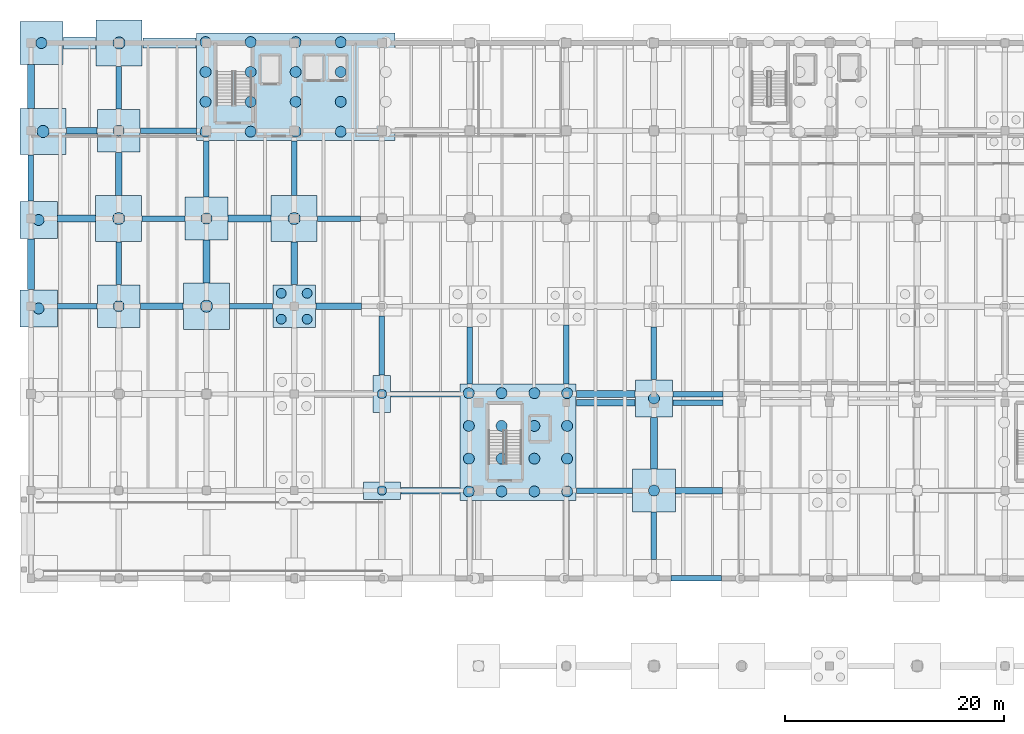
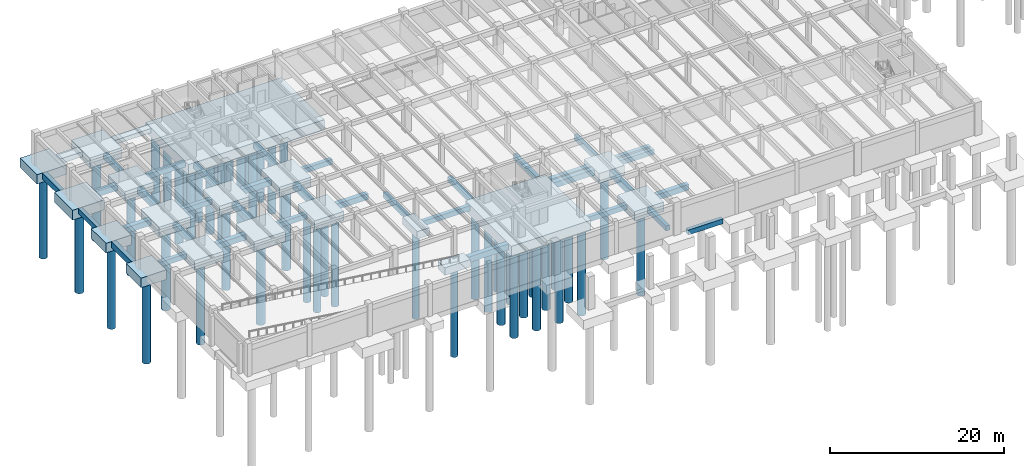
# One storey, part 2 of 25: 55 footings, 51 piles.
"""IFC4 building model written with IfcOpenShell, lengths in metres."""

from ifc_helpers import new_model, si_unit, direction, frame, origin, origin_2d, place, context, subcontext, project, spatial, rectangle, circle, extrude, material, layer, layer_set, material_profile, profile_set, type_object, element, save


model = new_model("IFC4")

# Units and contexts
model_context = context("Model", 3, precision=1e-05, world=origin(), true_north=direction((0.0, 1.0)))
body_context = subcontext(model_context, "Body", "Model", "MODEL_VIEW")
ifc_project = project(units=[si_unit("LENGTHUNIT", "METRE"), si_unit("AREAUNIT", "SQUARE_METRE"), si_unit("VOLUMEUNIT", "CUBIC_METRE"), si_unit("PLANEANGLEUNIT", "RADIAN"), si_unit("MASSUNIT", "GRAM", prefix="KILO")], contexts=[model_context])

# Site, building, storey
site_placement = place(None, origin())
site = spatial("IfcSite", under=ifc_project, at=site_placement, CompositionType="ELEMENT")
building_placement = place(site_placement, origin())
building = spatial("IfcBuilding", under=site, at=building_placement, Name="Tlaxcora Railside Police Headquarters", CompositionType="ELEMENT")
storey_placement = place(building_placement, frame((0.0, 0.0, -4.199951171875)))
storey = spatial("IfcBuildingStorey", under=building, at=storey_placement, Name="B1", CompositionType="ELEMENT", Elevation=-4.199951171875)

# Piles
ifc_material_1 = material(Name="Concrete C35/45", Category="concrete")
ifc_material_profile_1 = material_profile(ifc_material_1, circle(Radius=0.425048828125, at=origin_2d()), Name="PILE850")
ifc_profile_set_1 = profile_set([ifc_material_profile_1], Name="Concrete C35/45")
pile_type_1 = type_object("IfcPileType", Name="Cast-in-Place Bored Pile PL-12", PredefinedType="BORED", material=ifc_profile_set_1)
for number, where, z_axis, x_axis, name in (
    (1, (37.199951171875, 52.0, -1.340087890625), (0.0, 0.0, -1.0), (1.0, 0.0, 0.0), "Bored pile PILE-032-1"),
    (2, (37.199951171875, 60.800048828125, -1.340087890625), (0.0, 0.0, -1.0), (1.0, 0.0, 0.0), "Bored pile PILE-033-1"),
):
    element("IfcPile", number, at=place(storey_placement, frame(where, z_axis=z_axis, x_axis=x_axis)), inside=storey, type_object=pile_type_1, Name=name, PredefinedType="BORED", context=body_context, shape_type="SweptSolid", body=[
        extrude(circle(Radius=0.425048828125, at=origin_2d()), origin(), (0.0, 0.0, 1.0), 12.4599609375),
    ])
ifc_material_profile_2 = material_profile(ifc_material_1, circle(Radius=0.449951171875, at=origin_2d()), Name="PILE900")
ifc_profile_set_2 = profile_set([ifc_material_profile_2], Name="Concrete C35/45")
pile_type_2 = type_object("IfcPileType", Name="Cast-in-Place Bored Pile PL-52", PredefinedType="BORED", material=ifc_profile_set_2)
for number, where, z_axis, x_axis, name in (
    (3, (28.02001953125, 67.6201171875, -1.590087890625), (0.0, 0.0, -1.0), (1.0, 0.0, 0.0), "Bored pile PILE-029-1"),
    (4, (28.02001953125, 69.97998046875, -1.590087890625), (0.0, 0.0, -1.0), (1.0, 0.0, 0.0), "Bored pile PILE-029-2"),
    (5, (30.3798828125, 67.6201171875, -1.590087890625), (0.0, 0.0, -1.0), (1.0, 0.0, 0.0), "Bored pile PILE-029-3"),
    (6, (30.3798828125, 69.97998046875, -1.590087890625), (0.0, 0.0, -1.0), (1.0, 0.0, 0.0), "Bored pile PILE-029-4"),
):
    element("IfcPile", number, at=place(storey_placement, frame(where, z_axis=z_axis, x_axis=x_axis)), inside=storey, type_object=pile_type_2, Name=name, PredefinedType="BORED", context=body_context, shape_type="SweptSolid", body=[
        extrude(circle(Radius=0.449951171875, at=origin_2d()), origin(), (0.0, 0.0, 1.0), 12.2099609375),
    ])
ifc_material_profile_3 = material_profile(ifc_material_1, circle(Radius=0.5, at=origin_2d()), Name="PILE1000")
ifc_profile_set_3 = profile_set([ifc_material_profile_3], Name="Concrete C35/45")
pile_type_3 = type_object("IfcPileType", Name="Cast-in-Place Bored Pile PL-74", PredefinedType="BORED", material=ifc_profile_set_3)
for number, where, z_axis, x_axis, name in (
    (7, (21.118408203125, 84.719970703125, -1.739990234375), (0.0, 0.0, -1.0), (1.0, 0.0, 0.0), "Bored pile PILE-001-1"),
    (8, (21.118408203125, 87.43994140625, -1.739990234375), (0.0, 0.0, -1.0), (1.0, 0.0, 0.0), "Bored pile PILE-001-2"),
    (9, (21.118408203125, 90.159912109375, -1.739990234375), (0.0, 0.0, -1.0), (1.0, 0.0, 0.0), "Bored pile PILE-001-3"),
    (10, (21.118408203125, 92.8798828125, -1.739990234375), (0.0, 0.0, -1.0), (1.0, 0.0, 0.0), "Bored pile PILE-001-4"),
    (11, (25.22607421875, 84.719970703125, -1.739990234375), (0.0, 0.0, -1.0), (1.0, 0.0, 0.0), "Bored pile PILE-001-5"),
    (12, (25.22607421875, 87.43994140625, -1.739990234375), (0.0, 0.0, -1.0), (1.0, 0.0, 0.0), "Bored pile PILE-001-6"),
    (13, (25.22607421875, 90.159912109375, -1.739990234375), (0.0, 0.0, -1.0), (1.0, 0.0, 0.0), "Bored pile PILE-001-7"),
    (14, (25.22607421875, 92.8798828125, -1.739990234375), (0.0, 0.0, -1.0), (1.0, 0.0, 0.0), "Bored pile PILE-001-8"),
    (15, (29.33349609375, 84.719970703125, -1.739990234375), (0.0, 0.0, -1.0), (1.0, 0.0, 0.0), "Bored pile PILE-001-9"),
    (16, (29.33349609375, 87.43994140625, -1.739990234375), (0.0, 0.0, -1.0), (1.0, 0.0, 0.0), "Bored pile PILE-001-10"),
    (17, (29.33349609375, 90.159912109375, -1.739990234375), (0.0, 0.0, -1.0), (1.0, 0.0, 0.0), "Bored pile PILE-001-11"),
    (18, (29.33349609375, 92.8798828125, -1.739990234375), (0.0, 0.0, -1.0), (1.0, 0.0, 0.0), "Bored pile PILE-001-12"),
    (19, (33.44091796875, 84.719970703125, -1.739990234375), (0.0, 0.0, -1.0), (1.0, 0.0, 0.0), "Bored pile PILE-001-13"),
    (20, (33.44091796875, 87.43994140625, -1.739990234375), (0.0, 0.0, -1.0), (1.0, 0.0, 0.0), "Bored pile PILE-001-14"),
    (21, (33.44091796875, 90.159912109375, -1.739990234375), (0.0, 0.0, -1.0), (1.0, 0.0, 0.0), "Bored pile PILE-001-15"),
    (22, (33.44091796875, 92.8798828125, -1.739990234375), (0.0, 0.0, -1.0), (1.0, 0.0, 0.0), "Bored pile PILE-001-16"),
    (23, (45.1201171875, 51.919921875, -1.739990234375), (0.0, 0.0, -1.0), (1.0, 0.0, 0.0), "Bored pile PILE-005-1"),
    (24, (45.1201171875, 54.90673828125, -1.739990234375), (0.0, 0.0, -1.0), (1.0, 0.0, 0.0), "Bored pile PILE-005-2"),
    (25, (45.1201171875, 57.893310546875, -1.739990234375), (0.0, 0.0, -1.0), (1.0, 0.0, 0.0), "Bored pile PILE-005-3"),
    (26, (45.1201171875, 60.8798828125, -1.739990234375), (0.0, 0.0, -1.0), (1.0, 0.0, 0.0), "Bored pile PILE-005-4"),
    (27, (48.106689453125, 51.919921875, -1.739990234375), (0.0, 0.0, -1.0), (1.0, 0.0, 0.0), "Bored pile PILE-005-5"),
    (28, (48.106689453125, 54.90673828125, -1.739990234375), (0.0, 0.0, -1.0), (1.0, 0.0, 0.0), "Bored pile PILE-005-6"),
    (29, (48.106689453125, 57.893310546875, -1.739990234375), (0.0, 0.0, -1.0), (1.0, 0.0, 0.0), "Bored pile PILE-005-7"),
    (30, (48.106689453125, 60.8798828125, -1.739990234375), (0.0, 0.0, -1.0), (1.0, 0.0, 0.0), "Bored pile PILE-005-8"),
    (31, (51.09326171875, 51.919921875, -1.739990234375), (0.0, 0.0, -1.0), (1.0, 0.0, 0.0), "Bored pile PILE-005-9"),
    (32, (51.09326171875, 54.90673828125, -1.739990234375), (0.0, 0.0, -1.0), (1.0, 0.0, 0.0), "Bored pile PILE-005-10"),
    (33, (51.09326171875, 57.893310546875, -1.739990234375), (0.0, 0.0, -1.0), (1.0, 0.0, 0.0), "Bored pile PILE-005-11"),
    (34, (51.09326171875, 60.8798828125, -1.739990234375), (0.0, 0.0, -1.0), (1.0, 0.0, 0.0), "Bored pile PILE-005-12"),
    (35, (54.080078125, 51.919921875, -1.739990234375), (0.0, 0.0, -1.0), (1.0, 0.0, 0.0), "Bored pile PILE-005-13"),
    (36, (54.080078125, 54.90673828125, -1.739990234375), (0.0, 0.0, -1.0), (1.0, 0.0, 0.0), "Bored pile PILE-005-14"),
    (37, (54.080078125, 57.893310546875, -1.739990234375), (0.0, 0.0, -1.0), (1.0, 0.0, 0.0), "Bored pile PILE-005-15"),
    (38, (54.080078125, 60.8798828125, -1.739990234375), (0.0, 0.0, -1.0), (1.0, 0.0, 0.0), "Bored pile PILE-005-16"),
):
    element("IfcPile", number, at=place(storey_placement, frame(where, z_axis=z_axis, x_axis=x_axis)), inside=storey, type_object=pile_type_3, Name=name, PredefinedType="BORED", context=body_context, shape_type="SweptSolid", body=[
        extrude(circle(Radius=0.5, at=origin_2d()), origin(), (0.0, 0.0, 1.0), 12.06005859375),
    ])
for number, where, z_axis, x_axis, name in (
    (39, (5.89990234375, 68.60009765625, -1.64013671875), (0.0, 0.0, -1.0), (1.0, 0.0, 0.0), "Bored pile PILE-010-1"),
    (40, (5.89990234375, 76.66650390625, -1.64013671875), (0.0, 0.0, -1.0), (1.0, 0.0, 0.0), "Bored pile PILE-011-1"),
):
    element("IfcPile", number, at=place(storey_placement, frame(where, z_axis=z_axis, x_axis=x_axis)), inside=storey, type_object=pile_type_3, Name=name, PredefinedType="BORED", context=body_context, shape_type="SweptSolid", body=[
        extrude(circle(Radius=0.5, at=origin_2d()), origin(), (0.0, 0.0, 1.0), 12.159912109375),
    ])
for number, where, z_axis, x_axis, name in (
    (41, (6.14990234375, 92.800048828125, -1.590087890625), (0.0, 0.0, -1.0), (1.0, 0.0, 0.0), "Bored pile PILE-013-1"),
    (42, (13.199951171875, 68.800048828125, -1.590087890625), (0.0, 0.0, -1.0), (1.0, 0.0, 0.0), "Bored pile PILE-017-1"),
    (43, (13.199951171875, 84.800048828125, -1.590087890625), (0.0, 0.0, -1.0), (1.0, 0.0, 0.0), "Bored pile PILE-019-1"),
    (44, (21.199951171875, 76.800048828125, -1.590087890625), (0.0, 0.0, -1.0), (1.0, 0.0, 0.0), "Bored pile PILE-025-1"),
    (45, (62.0, 52.0, -1.590087890625), (0.0, 0.0, -1.0), (1.0, 0.0, 0.0), "Bored pile PILE-051-1"),
):
    element("IfcPile", number, at=place(storey_placement, frame(where, z_axis=z_axis, x_axis=x_axis)), inside=storey, type_object=pile_type_3, Name=name, PredefinedType="BORED", context=body_context, shape_type="SweptSolid", body=[
        extrude(circle(Radius=0.5, at=origin_2d()), origin(), (0.0, 0.0, 1.0), 12.2099609375),
    ])
pile_placement = place(storey_placement, frame((62.0, 60.39990234375, -1.64013671875), z_axis=(0.0, 0.0, -1.0), x_axis=(1.0, 0.0, 0.0)))
element("IfcPile", 46, at=pile_placement, inside=storey, type_object=pile_type_3, Name="Bored pile PILE-052-1", PredefinedType="BORED", context=body_context, shape_type="SweptSolid", body=[
    extrude(circle(Radius=0.5, at=origin_2d()), origin(), (0.0, 0.0, 1.0), 12.159912109375),
])
ifc_material_profile_4 = material_profile(ifc_material_1, circle(Radius=0.550048828125, at=origin_2d()), Name="PILE1100")
ifc_profile_set_4 = profile_set([ifc_material_profile_4], Name="Concrete C35/45")
pile_type_4 = type_object("IfcPileType", Name="Cast-in-Place Bored Pile PL-78", PredefinedType="BORED", material=ifc_profile_set_4)
for number, where, z_axis, x_axis, name in (
    (47, (6.300048828125, 84.7333984375, -1.68994140625), (0.0, 0.0, -1.0), (1.0, 0.0, 0.0), "Bored pile PILE-012-1"),
    (48, (13.199951171875, 76.800048828125, -1.68994140625), (0.0, 0.0, -1.0), (1.0, 0.0, 0.0), "Bored pile PILE-018-1"),
    (49, (13.2333984375, 92.800048828125, -1.68994140625), (0.0, 0.0, -1.0), (1.0, 0.0, 0.0), "Bored pile PILE-020-1"),
    (50, (21.199951171875, 68.800048828125, -1.68994140625), (0.0, 0.0, -1.0), (1.0, 0.0, 0.0), "Bored pile PILE-024-1"),
    (51, (29.199951171875, 76.800048828125, -1.68994140625), (0.0, 0.0, -1.0), (1.0, 0.0, 0.0), "Bored pile PILE-030-1"),
):
    element("IfcPile", number, at=place(storey_placement, frame(where, z_axis=z_axis, x_axis=x_axis)), inside=storey, type_object=pile_type_4, Name=name, PredefinedType="BORED", context=body_context, shape_type="SweptSolid", body=[
        extrude(circle(Radius=0.550048828125, at=origin_2d()), origin(), (0.0, 0.0, 1.0), 12.110107421875),
    ])

# Footings
ifc_material_2 = material(Name="Concrete C40/50", Category="concrete")
ifc_layer_1 = layer(ifc_material_2, 1.35009765625, Name="Concrete C40/50")
ifc_layer_set_1 = layer_set([ifc_layer_1], Name="Concrete C40/50")
footing_type_1 = type_object("IfcFootingType", Name="Reinforced Concrete Pile Cap FT-227", PredefinedType="PILE_CAP", material=ifc_layer_set_1)
for number, where, z_axis, x_axis, name in (
    (52, (5.89990234375, 68.60009765625, -1.7900390625), (0.0, 0.0, 1.0), (1.0, 0.0, 0.0), "Pile cap CAP-B1-010"),
    (53, (5.89990234375, 76.66650390625, -1.7900390625), (0.0, 0.0, 1.0), (1.0, 0.0, 0.0), "Pile cap CAP-B1-011"),
    (54, (62.0, 60.39990234375, -1.7900390625), (0.0, 0.0, 1.0), (1.0, 0.0, 0.0), "Pile cap CAP-B1-052"),
):
    element("IfcFooting", number, at=place(storey_placement, frame(where, z_axis=z_axis, x_axis=x_axis)), inside=storey, type_object=footing_type_1, Name=name, PredefinedType="PILE_CAP", context=body_context, shape_type="SweptSolid", body=[
        extrude(rectangle(XDim=3.39990234375, YDim=3.39990234375, at=origin_2d()), origin(), (0.0, 0.0, 1.0), 1.35009765625),
    ])
ifc_layer_2 = layer(ifc_material_2, 1.449951171875, Name="Concrete C40/50")
ifc_layer_set_2 = layer_set([ifc_layer_2], Name="Concrete C40/50")
footing_type_2 = type_object("IfcFootingType", Name="Reinforced Concrete Pile Cap FT-230", PredefinedType="PILE_CAP", material=ifc_layer_set_2)
footing_1_placement = place(storey_placement, frame((29.33349609375, 88.800048828125, -1.89013671875), z_axis=(0.0, 0.0, 1.0), x_axis=(1.0, 0.0, 0.0)))
element("IfcFooting", 55, at=footing_1_placement, inside=storey, type_object=footing_type_2, Name="Pile cap CAP-B1-001", PredefinedType="PILE_CAP", context=body_context, shape_type="SweptSolid", body=[
    extrude(rectangle(XDim=18.070068359375, YDim=9.800048828125, at=origin_2d()), origin(), (0.0, 0.0, 1.0), 1.449951171875),
])
ifc_layer_3 = layer(ifc_material_2, 1.449951171875, Name="Concrete C40/50")
ifc_layer_set_3 = layer_set([ifc_layer_3], Name="Concrete C40/50")
footing_type_3 = type_object("IfcFootingType", Name="Reinforced Concrete Pile Cap FT-237", PredefinedType="PILE_CAP", material=ifc_layer_set_3)
footing_2_placement = place(storey_placement, frame((49.60009765625, 56.39990234375, -1.89013671875), z_axis=(0.0, 0.0, 1.0), x_axis=(1.0, 0.0, 0.0)))
element("IfcFooting", 56, at=footing_2_placement, inside=storey, type_object=footing_type_3, Name="Pile cap CAP-B1-005", PredefinedType="PILE_CAP", context=body_context, shape_type="SweptSolid", body=[
    extrude(rectangle(XDim=10.60009765625, YDim=10.60009765625, at=origin_2d()), origin(), (0.0, 0.0, 1.0), 1.449951171875),
])
ifc_layer_4 = layer(ifc_material_2, 1.050048828125, Name="Concrete C40/50")
ifc_layer_set_4 = layer_set([ifc_layer_4], Name="Concrete C40/50")
footing_type_4 = type_object("IfcFootingType", Name="Reinforced Concrete Pile Cap FT-28", PredefinedType="PILE_CAP", material=ifc_layer_set_4)
footing_3_placement = place(storey_placement, frame((37.199951171875, 52.0, -1.490234375), z_axis=(0.0, 0.0, 1.0), x_axis=(1.0, 0.0, 0.0)))
element("IfcFooting", 57, at=footing_3_placement, inside=storey, type_object=footing_type_4, Name="Pile cap CAP-B1-032", PredefinedType="PILE_CAP", context=body_context, shape_type="SweptSolid", body=[
    extrude(rectangle(XDim=3.39990234375, YDim=1.60009765625, at=origin_2d()), origin(), (0.0, 0.0, 1.0), 1.050048828125),
])
ifc_layer_5 = layer(ifc_material_2, 1.050048828125, Name="Concrete C40/50")
ifc_layer_set_5 = layer_set([ifc_layer_5], Name="Concrete C40/50")
footing_type_5 = type_object("IfcFootingType", Name="Reinforced Concrete Pile Cap FT-30", PredefinedType="PILE_CAP", material=ifc_layer_set_5)
footing_4_placement = place(storey_placement, frame((37.199951171875, 60.800048828125, -1.490234375), z_axis=(0.0, 0.0, 1.0), x_axis=(1.0, 0.0, 0.0)))
element("IfcFooting", 58, at=footing_4_placement, inside=storey, type_object=footing_type_5, Name="Pile cap CAP-B1-033", PredefinedType="PILE_CAP", context=body_context, shape_type="SweptSolid", body=[
    extrude(rectangle(XDim=1.60009765625, YDim=3.39990234375, at=origin_2d()), origin(), (0.0, 0.0, 1.0), 1.050048828125),
])
ifc_layer_6 = layer(ifc_material_2, 1.300048828125, Name="Concrete C40/50")
ifc_layer_set_6 = layer_set([ifc_layer_6], Name="Concrete C40/50")
footing_type_6 = type_object("IfcFootingType", Name="Reinforced Concrete Pile Cap FT-75", PredefinedType="PILE_CAP", material=ifc_layer_set_6)
for number, where, z_axis, x_axis, name in (
    (59, (6.14990234375, 92.800048828125, -1.740234375), (0.0, 0.0, 1.0), (1.0, 0.0, 0.0), "Pile cap CAP-B1-013"),
    (60, (13.199951171875, 68.800048828125, -1.740234375), (0.0, 0.0, 1.0), (1.0, 0.0, 0.0), "Pile cap CAP-B1-017"),
    (61, (13.199951171875, 84.800048828125, -1.740234375), (0.0, 0.0, 1.0), (1.0, 0.0, 0.0), "Pile cap CAP-B1-019"),
    (62, (21.199951171875, 76.800048828125, -1.740234375), (0.0, 0.0, 1.0), (1.0, 0.0, 0.0), "Pile cap CAP-B1-025"),
    (63, (29.199951171875, 68.800048828125, -1.740234375), (0.0, 0.0, 1.0), (1.0, 0.0, 0.0), "Pile cap CAP-B1-029"),
    (64, (62.0, 52.0, -1.740234375), (0.0, 0.0, 1.0), (1.0, 0.0, 0.0), "Pile cap CAP-B1-051"),
):
    element("IfcFooting", number, at=place(storey_placement, frame(where, z_axis=z_axis, x_axis=x_axis)), inside=storey, type_object=footing_type_6, Name=name, PredefinedType="PILE_CAP", context=body_context, shape_type="SweptSolid", body=[
        extrude(rectangle(XDim=3.89990234375, YDim=3.89990234375, at=origin_2d()), origin(), (0.0, 0.0, 1.0), 1.300048828125),
    ])
ifc_layer_7 = layer(ifc_material_2, 1.39990234375, Name="Concrete C40/50")
ifc_layer_set_7 = layer_set([ifc_layer_7], Name="Concrete C40/50")
footing_type_7 = type_object("IfcFootingType", Name="Reinforced Concrete Pile Cap FT-93", PredefinedType="PILE_CAP", material=ifc_layer_set_7)
for number, where, z_axis, x_axis, name in (
    (65, (6.300048828125, 84.7333984375, -1.840087890625), (0.0, 0.0, 1.0), (1.0, 0.0, 0.0), "Pile cap CAP-B1-012"),
    (66, (13.199951171875, 76.800048828125, -1.840087890625), (0.0, 0.0, 1.0), (1.0, 0.0, 0.0), "Pile cap CAP-B1-018"),
    (67, (13.2333984375, 92.800048828125, -1.840087890625), (0.0, 0.0, 1.0), (1.0, 0.0, 0.0), "Pile cap CAP-B1-020"),
    (68, (21.199951171875, 68.800048828125, -1.840087890625), (0.0, 0.0, 1.0), (1.0, 0.0, 0.0), "Pile cap CAP-B1-024"),
    (69, (29.199951171875, 76.800048828125, -1.840087890625), (0.0, 0.0, 1.0), (1.0, 0.0, 0.0), "Pile cap CAP-B1-030"),
):
    element("IfcFooting", number, at=place(storey_placement, frame(where, z_axis=z_axis, x_axis=x_axis)), inside=storey, type_object=footing_type_7, Name=name, PredefinedType="PILE_CAP", context=body_context, shape_type="SweptSolid", body=[
        extrude(rectangle(XDim=4.199951171875, YDim=4.199951171875, at=origin_2d()), origin(), (0.0, 0.0, 1.0), 1.39990234375),
    ])
ifc_layer_8 = layer(ifc_material_1, 0.699951171875, Name="Concrete C35/45")
ifc_layer_set_8 = layer_set([ifc_layer_8], Name="Concrete C35/45")
footing_type_8 = type_object("IfcFootingType", Name="Reinforced Concrete Strip Footing FT-67", PredefinedType="STRIP_FOOTING", material=ifc_layer_set_8)
footing_5_placement = place(storey_placement, frame((9.61669921875, 92.800048828125, -1.14013671875), z_axis=(0.0, 0.0, 1.0), x_axis=(1.0, 0.0, 0.0)))
element("IfcFooting", 70, at=footing_5_placement, inside=storey, type_object=footing_type_8, Name="Retaining wall strip footing SF-12", PredefinedType="STRIP_FOOTING", context=body_context, shape_type="SweptSolid", body=[
    extrude(rectangle(XDim=2.91357421875, YDim=1.10009765625, at=origin_2d()), origin(), (0.0, 0.0, 1.0), 0.699951171875),
])
ifc_layer_9 = layer(ifc_material_1, 0.60009765625, Name="Concrete C35/45")
ifc_layer_set_9 = layer_set([ifc_layer_9], Name="Concrete C35/45")
footing_type_9 = type_object("IfcFootingType", Name="Reinforced Concrete Strip Footing FT-98", PredefinedType="STRIP_FOOTING", material=ifc_layer_set_9)
footing_6_placement = place(storey_placement, frame((17.81591796875, 92.800048828125, -1.0400390625), z_axis=(0.0, 0.0, 1.0), x_axis=(1.0, 0.0, 0.0)))
element("IfcFooting", 71, at=footing_6_placement, inside=storey, type_object=footing_type_9, Name="Retaining wall strip footing SF-11", PredefinedType="STRIP_FOOTING", context=body_context, shape_type="SweptSolid", body=[
    extrude(rectangle(XDim=4.844970703125, YDim=0.89990234375, at=origin_2d()), origin(), (0.0, 0.0, 1.0), 0.60009765625),
])
ifc_layer_10 = layer(ifc_material_1, 0.699951171875, Name="Concrete C35/45")
ifc_layer_set_10 = layer_set([ifc_layer_10], Name="Concrete C35/45")
footing_type_10 = type_object("IfcFootingType", Name="Reinforced Concrete Tie Beam FT-39", PredefinedType="FOOTING_BEAM", material=ifc_layer_set_10)
footing_7_placement = place(storey_placement, frame((65.85009765625, 44.0, -1.14013671875), z_axis=(0.0, 0.0, 1.0), x_axis=(1.0, 0.0, 0.0)))
element("IfcFooting", 72, at=footing_7_placement, inside=storey, type_object=footing_type_10, Name="Seismic tie beam TB-X-015", PredefinedType="FOOTING_BEAM", context=body_context, shape_type="SweptSolid", body=[
    extrude(rectangle(XDim=4.593017578125, YDim=0.5, at=origin_2d()), origin(), (0.0, 0.0, 1.0), 0.699951171875),
])
footing_8_placement = place(storey_placement, frame((57.47509765625, 52.0, -1.14013671875), z_axis=(0.0, 0.0, 1.0), x_axis=(1.0, 0.0, 0.0)))
element("IfcFooting", 73, at=footing_8_placement, inside=storey, type_object=footing_type_10, Name="Seismic tie beam TB-X-025", PredefinedType="FOOTING_BEAM", context=body_context, shape_type="SweptSolid", body=[
    extrude(rectangle(XDim=5.110107421875, YDim=0.5, at=origin_2d()), origin(), (0.0, 0.0, 1.0), 0.699951171875),
])
footing_9_placement = place(storey_placement, frame((66.0, 60.0, -1.14013671875), z_axis=(0.0, 0.0, 1.0), x_axis=(1.0, 0.0, 0.0)))
element("IfcFooting", 74, at=footing_9_placement, inside=storey, type_object=footing_type_10, Name="Seismic tie beam TB-X-031", PredefinedType="FOOTING_BEAM", context=body_context, shape_type="SweptSolid", body=[
    extrude(rectangle(XDim=4.56005859375, YDim=0.5, at=origin_2d()), origin(), (0.0, 0.0, 1.0), 0.699951171875),
])
footing_10_placement = place(storey_placement, frame((41.14990234375, 60.800048828125, -1.14013671875), z_axis=(0.0, 0.0, 1.0), x_axis=(1.0, 0.0, 0.0)))
element("IfcFooting", 75, at=footing_10_placement, inside=storey, type_object=footing_type_10, Name="Seismic tie beam TB-X-039", PredefinedType="FOOTING_BEAM", context=body_context, shape_type="SweptSolid", body=[
    extrude(rectangle(XDim=6.260009765625, YDim=0.5, at=origin_2d()), origin(), (0.0, 0.0, 1.0), 0.699951171875),
])
footing_11_placement = place(storey_placement, frame((66.0, 60.800048828125, -1.14013671875), z_axis=(0.0, 0.0, 1.0), x_axis=(1.0, 0.0, 0.0)))
element("IfcFooting", 76, at=footing_11_placement, inside=storey, type_object=footing_type_10, Name="Seismic tie beam TB-X-041", PredefinedType="FOOTING_BEAM", context=body_context, shape_type="SweptSolid", body=[
    extrude(rectangle(XDim=4.56005859375, YDim=0.5, at=origin_2d()), origin(), (0.0, 0.0, 1.0), 0.699951171875),
])
footing_12_placement = place(storey_placement, frame((9.425048828125, 68.800048828125, -1.14013671875), z_axis=(0.0, 0.0, 1.0), x_axis=(1.0, 0.0, 0.0)))
element("IfcFooting", 77, at=footing_12_placement, inside=storey, type_object=footing_type_10, Name="Seismic tie beam TB-X-045", PredefinedType="FOOTING_BEAM", context=body_context, shape_type="SweptSolid", body=[
    extrude(rectangle(XDim=3.610107421875, YDim=0.5, at=origin_2d()), origin(), (0.0, 0.0, 1.0), 0.699951171875),
])
for number, where, z_axis, x_axis, name in (
    (78, (25.27490234375, 68.800048828125, -1.14013671875), (0.0, 0.0, 1.0), (1.0, 0.0, 0.0), "Seismic tie beam TB-X-047"),
    (79, (17.27490234375, 76.800048828125, -1.14013671875), (0.0, 0.0, 1.0), (1.0, 0.0, 0.0), "Seismic tie beam TB-X-057"),
    (80, (33.27490234375, 76.800048828125, -1.14013671875), (0.0, 0.0, 1.0), (1.0, 0.0, 0.0), "Seismic tie beam TB-X-059"),
):
    element("IfcFooting", number, at=place(storey_placement, frame(where, z_axis=z_axis, x_axis=x_axis)), inside=storey, type_object=footing_type_10, Name=name, PredefinedType="FOOTING_BEAM", context=body_context, shape_type="SweptSolid", body=[
        extrude(rectangle(XDim=3.909912109375, YDim=0.5, at=origin_2d()), origin(), (0.0, 0.0, 1.0), 0.699951171875),
    ])
footing_13_placement = place(storey_placement, frame((17.724365234375, 84.800048828125, -1.14013671875), z_axis=(0.0, 0.0, 1.0), x_axis=(1.0, 0.0, 0.0)))
element("IfcFooting", 81, at=footing_13_placement, inside=storey, type_object=footing_type_10, Name="Seismic tie beam TB-X-075", PredefinedType="FOOTING_BEAM", context=body_context, shape_type="SweptSolid", body=[
    extrude(rectangle(XDim=5.1083984375, YDim=0.5, at=origin_2d()), origin(), (0.0, 0.0, 1.0), 0.699951171875),
])
footing_14_placement = place(storey_placement, frame((5.199951171875, 80.5, -1.14013671875), z_axis=(0.0, 0.0, 1.0), x_axis=(0.0, 1.0, 0.0)))
element("IfcFooting", 82, at=footing_14_placement, inside=storey, type_object=footing_type_10, Name="Seismic tie beam TB-Y-095", PredefinedType="FOOTING_BEAM", context=body_context, shape_type="SweptSolid", body=[
    extrude(rectangle(XDim=4.22705078125, YDim=0.5, at=origin_2d()), origin(), (0.0, 0.0, 1.0), 0.699951171875),
])
for number, where, z_axis, x_axis, name in (
    (83, (13.199951171875, 72.72509765625, -1.14013671875), (0.0, 0.0, 1.0), (0.0, 1.0, 0.0), "Seismic tie beam TB-Y-099"),
    (84, (13.199951171875, 88.72509765625, -1.14013671875), (0.0, 0.0, 1.0), (0.0, 1.0, 0.0), "Seismic tie beam TB-Y-101"),
):
    element("IfcFooting", number, at=place(storey_placement, frame(where, z_axis=z_axis, x_axis=x_axis)), inside=storey, type_object=footing_type_10, Name=name, PredefinedType="FOOTING_BEAM", context=body_context, shape_type="SweptSolid", body=[
        extrude(rectangle(XDim=3.909912109375, YDim=0.5, at=origin_2d()), origin(), (0.0, 0.0, 1.0), 0.699951171875),
    ])
footing_15_placement = place(storey_placement, frame((21.199951171875, 81.324951171875, -1.14013671875), z_axis=(0.0, 0.0, 1.0), x_axis=(0.0, 1.0, 0.0)))
element("IfcFooting", 85, at=footing_15_placement, inside=storey, type_object=footing_type_10, Name="Seismic tie beam TB-Y-105", PredefinedType="FOOTING_BEAM", context=body_context, shape_type="SweptSolid", body=[
    extrude(rectangle(XDim=5.110107421875, YDim=0.5, at=origin_2d()), origin(), (0.0, 0.0, 1.0), 0.699951171875),
])
footing_16_placement = place(storey_placement, frame((29.199951171875, 81.39990234375, -1.14013671875), z_axis=(0.0, 0.0, 1.0), x_axis=(0.0, 1.0, 0.0)))
element("IfcFooting", 86, at=footing_16_placement, inside=storey, type_object=footing_type_10, Name="Seismic tie beam TB-Y-109", PredefinedType="FOOTING_BEAM", context=body_context, shape_type="SweptSolid", body=[
    extrude(rectangle(XDim=4.9599609375, YDim=0.5, at=origin_2d()), origin(), (0.0, 0.0, 1.0), 0.699951171875),
])
footing_17_placement = place(storey_placement, frame((37.199951171875, 65.21240234375, -1.14013671875), z_axis=(0.0, 0.0, 1.0), x_axis=(0.0, 1.0, 0.0)))
element("IfcFooting", 87, at=footing_17_placement, inside=storey, type_object=footing_type_10, Name="Seismic tie beam TB-Y-111", PredefinedType="FOOTING_BEAM", context=body_context, shape_type="SweptSolid", body=[
    extrude(rectangle(XDim=5.385009765625, YDim=0.5, at=origin_2d()), origin(), (0.0, 0.0, 1.0), 0.699951171875),
])
footing_18_placement = place(storey_placement, frame((45.199951171875, 64.324951171875, -1.14013671875), z_axis=(0.0, 0.0, 1.0), x_axis=(0.0, 1.0, 0.0)))
element("IfcFooting", 88, at=footing_18_placement, inside=storey, type_object=footing_type_10, Name="Seismic tie beam TB-Y-115", PredefinedType="FOOTING_BEAM", context=body_context, shape_type="SweptSolid", body=[
    extrude(rectangle(XDim=5.2099609375, YDim=0.5, at=origin_2d()), origin(), (0.0, 0.0, 1.0), 0.699951171875),
])
footing_19_placement = place(storey_placement, frame((54.0, 64.39990234375, -1.14013671875), z_axis=(0.0, 0.0, 1.0), x_axis=(0.0, 1.0, 0.0)))
element("IfcFooting", 89, at=footing_19_placement, inside=storey, type_object=footing_type_10, Name="Seismic tie beam TB-Y-121", PredefinedType="FOOTING_BEAM", context=body_context, shape_type="SweptSolid", body=[
    extrude(rectangle(XDim=5.360107421875, YDim=0.5, at=origin_2d()), origin(), (0.0, 0.0, 1.0), 0.699951171875),
])
footing_20_placement = place(storey_placement, frame((62.0, 47.875, -1.14013671875), z_axis=(0.0, 0.0, 1.0), x_axis=(0.0, 1.0, 0.0)))
element("IfcFooting", 90, at=footing_20_placement, inside=storey, type_object=footing_type_10, Name="Seismic tie beam TB-Y-125", PredefinedType="FOOTING_BEAM", context=body_context, shape_type="SweptSolid", body=[
    extrude(rectangle(XDim=4.31005859375, YDim=0.5, at=origin_2d()), origin(), (0.0, 0.0, 1.0), 0.699951171875),
])
footing_21_placement = place(storey_placement, frame((62.0, 64.52490234375, -1.14013671875), z_axis=(0.0, 0.0, 1.0), x_axis=(0.0, 1.0, 0.0)))
element("IfcFooting", 91, at=footing_21_placement, inside=storey, type_object=footing_type_10, Name="Seismic tie beam TB-Y-127", PredefinedType="FOOTING_BEAM", context=body_context, shape_type="SweptSolid", body=[
    extrude(rectangle(XDim=4.81005859375, YDim=0.5, at=origin_2d()), origin(), (0.0, 0.0, 1.0), 0.699951171875),
])
ifc_layer_11 = layer(ifc_material_1, 0.800048828125, Name="Concrete C35/45")
ifc_layer_set_11 = layer_set([ifc_layer_11], Name="Concrete C35/45")
footing_type_11 = type_object("IfcFootingType", Name="Reinforced Concrete Tie Beam FT-96", PredefinedType="FOOTING_BEAM", material=ifc_layer_set_11)
footing_22_placement = place(storey_placement, frame((41.60009765625, 52.0, -1.240234375), z_axis=(0.0, 0.0, 1.0), x_axis=(1.0, 0.0, 0.0)))
element("IfcFooting", 92, at=footing_22_placement, inside=storey, type_object=footing_type_11, Name="Seismic tie beam TB-X-024", PredefinedType="FOOTING_BEAM", context=body_context, shape_type="SweptSolid", body=[
    extrude(rectangle(XDim=5.360107421875, YDim=0.60009765625, at=origin_2d()), origin(), (0.0, 0.0, 1.0), 0.800048828125),
])
footing_23_placement = place(storey_placement, frame((66.10009765625, 52.0, -1.240234375), z_axis=(0.0, 0.0, 1.0), x_axis=(1.0, 0.0, 0.0)))
element("IfcFooting", 93, at=footing_23_placement, inside=storey, type_object=footing_type_11, Name="Seismic tie beam TB-X-026", PredefinedType="FOOTING_BEAM", context=body_context, shape_type="SweptSolid", body=[
    extrude(rectangle(XDim=4.260009765625, YDim=0.60009765625, at=origin_2d()), origin(), (0.0, 0.0, 1.0), 0.800048828125),
])
for number, where, z_axis, x_axis, name in (
    (94, (57.60009765625, 60.0, -1.240234375), (0.0, 0.0, 1.0), (1.0, 0.0, 0.0), "Seismic tie beam TB-X-030"),
    (95, (57.60009765625, 60.800048828125, -1.240234375), (0.0, 0.0, 1.0), (1.0, 0.0, 0.0), "Seismic tie beam TB-X-040"),
):
    element("IfcFooting", number, at=place(storey_placement, frame(where, z_axis=z_axis, x_axis=x_axis)), inside=storey, type_object=footing_type_11, Name=name, PredefinedType="FOOTING_BEAM", context=body_context, shape_type="SweptSolid", body=[
        extrude(rectangle(XDim=5.360107421875, YDim=0.60009765625, at=origin_2d()), origin(), (0.0, 0.0, 1.0), 0.800048828125),
    ])
footing_24_placement = place(storey_placement, frame((17.125, 68.800048828125, -1.240234375), z_axis=(0.0, 0.0, 1.0), x_axis=(1.0, 0.0, 0.0)))
element("IfcFooting", 96, at=footing_24_placement, inside=storey, type_object=footing_type_11, Name="Seismic tie beam TB-X-046", PredefinedType="FOOTING_BEAM", context=body_context, shape_type="SweptSolid", body=[
    extrude(rectangle(XDim=3.909912109375, YDim=0.60009765625, at=origin_2d()), origin(), (0.0, 0.0, 1.0), 0.800048828125),
])
footing_25_placement = place(storey_placement, frame((33.25, 68.800048828125, -1.240234375), z_axis=(0.0, 0.0, 1.0), x_axis=(1.0, 0.0, 0.0)))
element("IfcFooting", 97, at=footing_25_placement, inside=storey, type_object=footing_type_11, Name="Seismic tie beam TB-X-048", PredefinedType="FOOTING_BEAM", context=body_context, shape_type="SweptSolid", body=[
    extrude(rectangle(XDim=4.159912109375, YDim=0.60009765625, at=origin_2d()), origin(), (0.0, 0.0, 1.0), 0.800048828125),
])
footing_26_placement = place(storey_placement, frame((9.35009765625, 76.800048828125, -1.240234375), z_axis=(0.0, 0.0, 1.0), x_axis=(1.0, 0.0, 0.0)))
element("IfcFooting", 98, at=footing_26_placement, inside=storey, type_object=footing_type_11, Name="Seismic tie beam TB-X-056", PredefinedType="FOOTING_BEAM", context=body_context, shape_type="SweptSolid", body=[
    extrude(rectangle(XDim=3.4599609375, YDim=0.60009765625, at=origin_2d()), origin(), (0.0, 0.0, 1.0), 0.800048828125),
])
footing_27_placement = place(storey_placement, frame((25.125, 76.800048828125, -1.240234375), z_axis=(0.0, 0.0, 1.0), x_axis=(1.0, 0.0, 0.0)))
element("IfcFooting", 99, at=footing_27_placement, inside=storey, type_object=footing_type_11, Name="Seismic tie beam TB-X-058", PredefinedType="FOOTING_BEAM", context=body_context, shape_type="SweptSolid", body=[
    extrude(rectangle(XDim=3.909912109375, YDim=0.60009765625, at=origin_2d()), origin(), (0.0, 0.0, 1.0), 0.800048828125),
])
footing_28_placement = place(storey_placement, frame((9.824951171875, 84.800048828125, -1.240234375), z_axis=(0.0, 0.0, 1.0), x_axis=(1.0, 0.0, 0.0)))
element("IfcFooting", 100, at=footing_28_placement, inside=storey, type_object=footing_type_11, Name="Seismic tie beam TB-X-074", PredefinedType="FOOTING_BEAM", context=body_context, shape_type="SweptSolid", body=[
    extrude(rectangle(XDim=2.81005859375, YDim=0.60009765625, at=origin_2d()), origin(), (0.0, 0.0, 1.0), 0.800048828125),
])
footing_29_placement = place(storey_placement, frame((5.199951171875, 72.63330078125, -1.240234375), z_axis=(0.0, 0.0, 1.0), x_axis=(0.0, 1.0, 0.0)))
element("IfcFooting", 101, at=footing_29_placement, inside=storey, type_object=footing_type_11, Name="Seismic tie beam TB-Y-094", PredefinedType="FOOTING_BEAM", context=body_context, shape_type="SweptSolid", body=[
    extrude(rectangle(XDim=4.62646484375, YDim=0.60009765625, at=origin_2d()), origin(), (0.0, 0.0, 1.0), 0.800048828125),
])
footing_30_placement = place(storey_placement, frame((5.199951171875, 88.841796875, -1.240234375), z_axis=(0.0, 0.0, 1.0), x_axis=(0.0, 1.0, 0.0)))
element("IfcFooting", 102, at=footing_30_placement, inside=storey, type_object=footing_type_11, Name="Seismic tie beam TB-Y-096", PredefinedType="FOOTING_BEAM", context=body_context, shape_type="SweptSolid", body=[
    extrude(rectangle(XDim=3.9765625, YDim=0.60009765625, at=origin_2d()), origin(), (0.0, 0.0, 1.0), 0.800048828125),
])
for number, where, z_axis, x_axis, name in (
    (103, (13.199951171875, 80.875, -1.240234375), (0.0, 0.0, 1.0), (0.0, 1.0, 0.0), "Seismic tie beam TB-Y-100"),
    (104, (21.199951171875, 72.875, -1.240234375), (0.0, 0.0, 1.0), (0.0, 1.0, 0.0), "Seismic tie beam TB-Y-104"),
    (105, (29.199951171875, 72.72509765625, -1.240234375), (0.0, 0.0, 1.0), (0.0, 1.0, 0.0), "Seismic tie beam TB-Y-108"),
):
    element("IfcFooting", number, at=place(storey_placement, frame(where, z_axis=z_axis, x_axis=x_axis)), inside=storey, type_object=footing_type_11, Name=name, PredefinedType="FOOTING_BEAM", context=body_context, shape_type="SweptSolid", body=[
        extrude(rectangle(XDim=3.909912109375, YDim=0.60009765625, at=origin_2d()), origin(), (0.0, 0.0, 1.0), 0.800048828125),
    ])
footing_31_placement = place(storey_placement, frame((62.0, 56.324951171875, -1.240234375), z_axis=(0.0, 0.0, 1.0), x_axis=(0.0, 1.0, 0.0)))
element("IfcFooting", 106, at=footing_31_placement, inside=storey, type_object=footing_type_11, Name="Seismic tie beam TB-Y-126", PredefinedType="FOOTING_BEAM", context=body_context, shape_type="SweptSolid", body=[
    extrude(rectangle(XDim=4.7099609375, YDim=0.60009765625, at=origin_2d()), origin(), (0.0, 0.0, 1.0), 0.800048828125),
])

save(model, "model.ifc")
